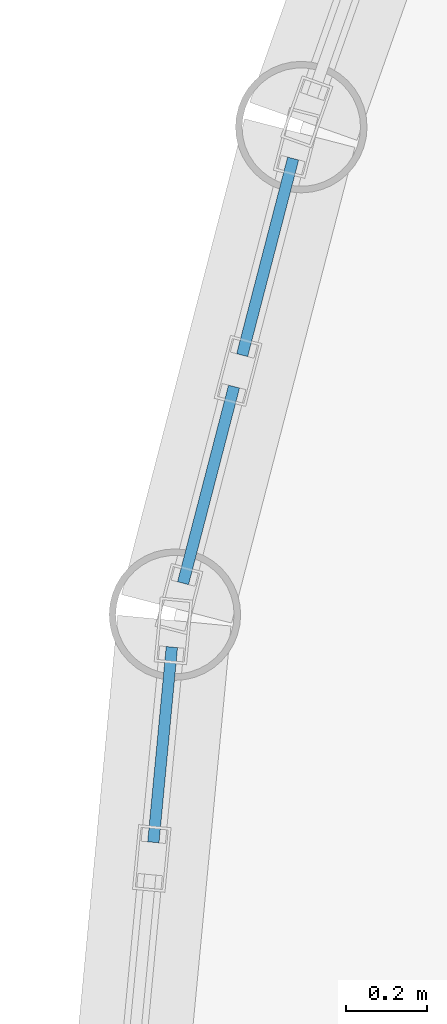
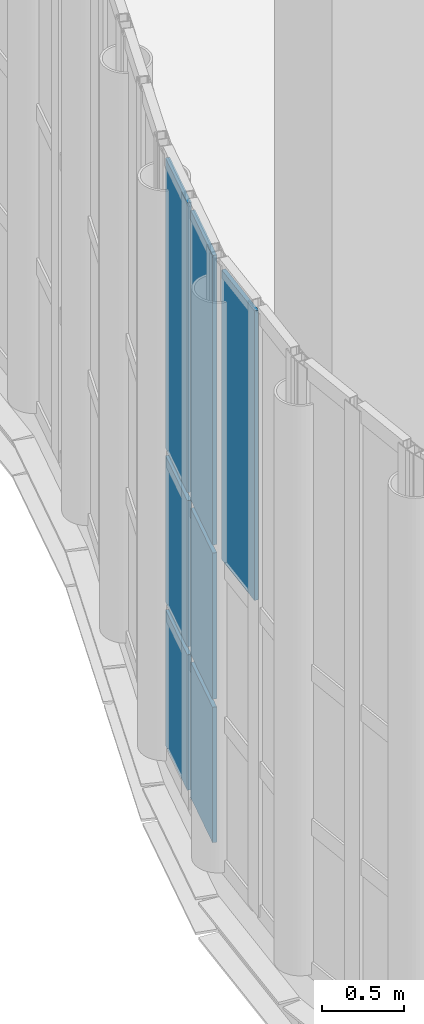
# One storey, part 71 of 108: 7 plates, 2 elements without a shape of their own.
"""IFC4 building model written with IfcOpenShell, lengths in metres."""

from ifc_helpers import new_model, si_unit, direction, frame, origin, origin_2d, place, context, subcontext, project, spatial, rectangle, extrude, material, layer, layer_set, type_object, element, aggregate, save


model = new_model("IFC4")

# Units and contexts
model_context = context("Model", 3, precision=1e-05, world=origin(), true_north=direction((0.0, 1.0)))
body_context = subcontext(model_context, "Body", "Model", "MODEL_VIEW")
ifc_project = project(units=[si_unit("LENGTHUNIT", "METRE"), si_unit("AREAUNIT", "SQUARE_METRE"), si_unit("VOLUMEUNIT", "CUBIC_METRE"), si_unit("PLANEANGLEUNIT", "RADIAN"), si_unit("MASSUNIT", "GRAM", prefix="KILO"), si_unit("THERMODYNAMICTEMPERATUREUNIT", "KELVIN"), si_unit("POWERUNIT", "WATT")], contexts=[model_context])

# Site, building, storey
site_placement = place(None, origin())
site = spatial("IfcSite", under=ifc_project, at=site_placement, CompositionType="ELEMENT")
building_placement = place(site_placement, origin())
building = spatial("IfcBuilding", under=site, at=building_placement, Name="Kaldorven Railside Theatre", CompositionType="ELEMENT")
storey_placement = place(building_placement, frame((0.0, 0.0, 5.39990234375)))
storey = spatial("IfcBuildingStorey", under=building, at=storey_placement, Name="L01", CompositionType="ELEMENT", Elevation=5.39990234375)

# Curtain wall, plate
ifc_material = material(Name="Low-E laminated solar-control glass", Category="glass")
ifc_layer_1 = layer(ifc_material, 0.159912109375, Name="Low-E laminated solar-control glass")
ifc_layer_set_1 = layer_set([ifc_layer_1], Name="Low-E laminated solar-control glass")
curtain_wall_type_1 = type_object("IfcCurtainWallType", Name="CWT-03", PredefinedType="USERDEFINED", material=ifc_layer_set_1)
curtain_wall_1_placement = place(storey_placement, origin())
curtain_wall_1 = element("IfcCurtainWall", 1, at=curtain_wall_1_placement, inside=storey, type_object=curtain_wall_type_1, Name="Sinusoidal Fluted Curtain Wall CW-L01-W04", ObjectType="FLUTED GLAZING", PredefinedType="USERDEFINED")
ifc_layer_2 = layer(ifc_material, 0.028076171875, Name="Low-E laminated solar-control glass")
ifc_layer_set_2 = layer_set([ifc_layer_2], Name="Low-E laminated solar-control glass")
plate_type = type_object("IfcPlateType", Name="CWP-GLZ28", PredefinedType="CURTAIN_PANEL", material=ifc_layer_set_2)
plate_1_placement = place(storey_placement, frame((70.43359375, 45.280029296875, 2.2802734375), z_axis=(0.0, 0.0, 1.0), x_axis=(0.094491973758, 0.995525623425, 0.0)))
plate_1 = element("IfcPlate", 2, at=plate_1_placement, type_object=plate_type, Name="CW-L01-W04 panel 2.3", PredefinedType="CURTAIN_PANEL", context=body_context, shape_type="SweptSolid", body=[
    extrude(rectangle(XDim=0.482666015625, YDim=0.028076171875, at=origin_2d()), origin(), (0.0, 0.0, 1.0), 2.159912109375),
])
aggregate(curtain_wall_1, [plate_1])

# Curtain wall, plates
ifc_layer_3 = layer(ifc_material, 0.159912109375, Name="Low-E laminated solar-control glass")
ifc_layer_set_3 = layer_set([ifc_layer_3], Name="Low-E laminated solar-control glass")
curtain_wall_type_2 = type_object("IfcCurtainWallType", Name="CWT-02", PredefinedType="USERDEFINED", material=ifc_layer_set_3)
curtain_wall_2_placement = place(storey_placement, origin())
curtain_wall_2 = element("IfcCurtainWall", 3, at=curtain_wall_2_placement, inside=storey, type_object=curtain_wall_type_2, Name="Sinusoidal Fluted Curtain Wall CW-L01-W05", ObjectType="FLUTED GLAZING", PredefinedType="USERDEFINED")
plate_2_placement = place(storey_placement, frame((70.546630859375, 45.91943359375, 0.06005859375), z_axis=(0.0, 0.0, 1.0), x_axis=(0.250953760326, 0.967999075505, 0.0)))
plate_2 = element("IfcPlate", 4, at=plate_2_placement, type_object=plate_type, Name="CW-L01-W05 panel 1.1", PredefinedType="CURTAIN_PANEL", context=body_context, shape_type="SweptSolid", body=[
    extrude(rectangle(XDim=0.499755859375, YDim=0.028076171875, at=origin_2d()), origin(), (0.0, 0.0, 1.0), 1.010009765625),
])
plate_3_placement = place(storey_placement, frame((70.546630859375, 45.91943359375, 1.1298828125), z_axis=(0.0, 0.0, 1.0), x_axis=(0.250953760326, 0.967999075505, 0.0)))
plate_3 = element("IfcPlate", 5, at=plate_3_placement, type_object=plate_type, Name="CW-L01-W05 panel 1.2", PredefinedType="CURTAIN_PANEL", context=body_context, shape_type="SweptSolid", body=[
    extrude(rectangle(XDim=0.499755859375, YDim=0.028076171875, at=origin_2d()), origin(), (0.0, 0.0, 1.0), 1.090087890625),
])
plate_4_placement = place(storey_placement, frame((70.546630859375, 45.91943359375, 2.2802734375), z_axis=(0.0, 0.0, 1.0), x_axis=(0.250953760326, 0.967999075505, 0.0)))
plate_4 = element("IfcPlate", 6, at=plate_4_placement, type_object=plate_type, Name="CW-L01-W05 panel 1.3", PredefinedType="CURTAIN_PANEL", context=body_context, shape_type="SweptSolid", body=[
    extrude(rectangle(XDim=0.499755859375, YDim=0.028076171875, at=origin_2d()), origin(), (0.0, 0.0, 1.0), 2.159912109375),
])
plate_5_placement = place(storey_placement, frame((70.692138671875, 46.480712890625, 0.06005859375), z_axis=(0.0, 0.0, 1.0), x_axis=(0.250953760326, 0.967999075505, 0.0)))
plate_5 = element("IfcPlate", 7, at=plate_5_placement, type_object=plate_type, Name="CW-L01-W05 panel 2.1", PredefinedType="CURTAIN_PANEL", context=body_context, shape_type="SweptSolid", body=[
    extrude(rectangle(XDim=0.499755859375, YDim=0.028076171875, at=origin_2d()), origin(), (0.0, 0.0, 1.0), 1.010009765625),
])
plate_6_placement = place(storey_placement, frame((70.692138671875, 46.480712890625, 1.1298828125), z_axis=(0.0, 0.0, 1.0), x_axis=(0.250953760326, 0.967999075505, 0.0)))
plate_6 = element("IfcPlate", 8, at=plate_6_placement, type_object=plate_type, Name="CW-L01-W05 panel 2.2", PredefinedType="CURTAIN_PANEL", context=body_context, shape_type="SweptSolid", body=[
    extrude(rectangle(XDim=0.499755859375, YDim=0.028076171875, at=origin_2d()), origin(), (0.0, 0.0, 1.0), 1.090087890625),
])
plate_7_placement = place(storey_placement, frame((70.692138671875, 46.480712890625, 2.2802734375), z_axis=(0.0, 0.0, 1.0), x_axis=(0.250953760326, 0.967999075505, 0.0)))
plate_7 = element("IfcPlate", 9, at=plate_7_placement, type_object=plate_type, Name="CW-L01-W05 panel 2.3", PredefinedType="CURTAIN_PANEL", context=body_context, shape_type="SweptSolid", body=[
    extrude(rectangle(XDim=0.499755859375, YDim=0.028076171875, at=origin_2d()), origin(), (0.0, 0.0, 1.0), 2.159912109375),
])
aggregate(curtain_wall_2, [plate_2, plate_3, plate_4, plate_5, plate_6, plate_7])

save(model, "model.ifc")
